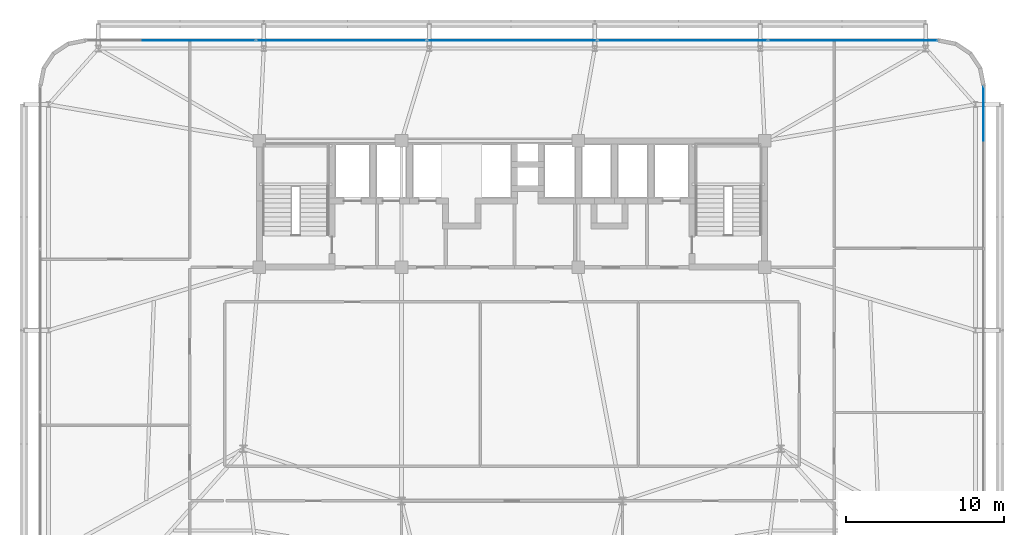
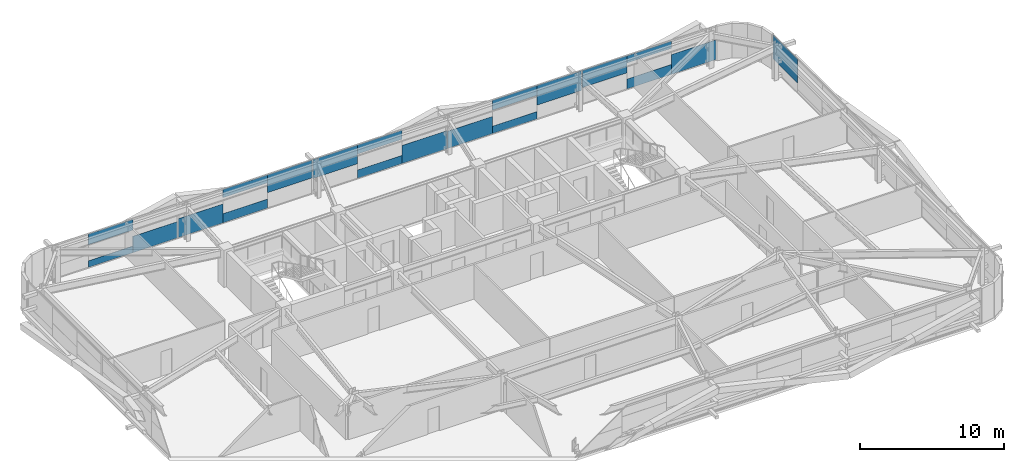
# One storey, part 30 of 44: 20 plates, 2 elements without a shape of their own.
"""IFC4 building model written with IfcOpenShell, lengths in metres."""

import ifcopenshell
import ifcopenshell.guid

model = None  # the IFC model being written
_history = None  # IfcOwnerHistory: only IFC2X3 demands one
_inside = {}  # id of a spatial element -> (the spatial element, [elements in it])
_under = {}  # id of a project, library or spatial element -> (it, [spatial elements below it])
_declared = {}  # id of a project -> (the project, [libraries it declares])
_typed = {}  # id of a type object -> (the type object, [elements of that type])
_made_of = {}  # id of a material, layer set ... -> (it, [elements and type objects made of it])


def new_model(schema):
    """Start an empty IFC model of exactly this schema.

    Asked for "IFC4X3", IfcOpenShell would pick the latest addendum, in which some entities
    have other attributes; the version numbers below select the first issue.
    IFC2X3 requires an IfcOwnerHistory on every rooted entity: one is made here for all.
    """
    global model, _history
    if schema == "IFC4X3":
        model = ifcopenshell.file(schema_version=(4, 3, 0, 0))
    else:
        model = ifcopenshell.file(schema=schema)
    _inside.clear()
    _under.clear()
    _declared.clear()
    _typed.clear()
    _made_of.clear()
    _history = None
    if model.schema == "IFC2X3":
        org = make("IfcOrganization", Name="unknown")
        user = make(
            "IfcPersonAndOrganization",
            ThePerson=make("IfcPerson", FamilyName="unknown"),
            TheOrganization=org,
        )
        app = make(
            "IfcApplication",
            ApplicationDeveloper=org,
            Version="unknown",
            ApplicationFullName="unknown",
            ApplicationIdentifier="unknown",
        )
        _history = make(
            "IfcOwnerHistory",
            OwningUser=user,
            OwningApplication=app,
            ChangeAction="ADDED",
            CreationDate=0,
        )
    return model


def make(cls, **values):
    """One entity of the class cls with the attributes given. An attribute that is None is left unset."""
    return model.create_entity(
        cls, **{name: value for name, value in values.items() if value is not None}
    )


def rooted(cls, **values):
    """An entity with a GlobalId (a new one), such as an element, a storey or a relation."""
    return make(cls, GlobalId=ifcopenshell.guid.new(), OwnerHistory=_history, **values)


def si_unit(unit_type, name, prefix=None):
    """IfcSIUnit, for example si_unit("LENGTHUNIT", "METRE", prefix="MILLI")."""
    return make("IfcSIUnit", UnitType=unit_type, Prefix=prefix, Name=name)


def assignment(units):
    """IfcUnitAssignment: the units of a project."""
    return None if units is None else make("IfcUnitAssignment", Units=units)


def point(xyz):
    """IfcCartesianPoint."""
    return None if xyz is None else make("IfcCartesianPoint", Coordinates=xyz)


def direction(xyz):
    """IfcDirection."""
    return None if xyz is None else make("IfcDirection", DirectionRatios=xyz)


def frame(location, z_axis=None, x_axis=None):
    """IfcAxis2Placement3D, a coordinate frame: its origin and axes. An axis left out is left unset."""
    return make(
        "IfcAxis2Placement3D",
        Location=point(location),
        Axis=direction(z_axis),
        RefDirection=direction(x_axis),
    )


def frame_2d(location, x_axis=None):
    """IfcAxis2Placement2D, a coordinate frame in the plane: its origin and x axis."""
    return make(
        "IfcAxis2Placement2D", Location=point(location), RefDirection=direction(x_axis)
    )


def origin():
    """The frame at (0, 0, 0) with its axes left unset."""
    return frame((0.0, 0.0, 0.0))


def origin_2d():
    """The frame at (0, 0) in the plane with its x axis left unset."""
    return frame_2d((0.0, 0.0))


def place(relative_to, where):
    """IfcLocalPlacement: puts the frame where relative to a parent placement (None: the world)."""
    return make(
        "IfcLocalPlacement", PlacementRelTo=relative_to, RelativePlacement=where
    )


def context(
    kind, dimensions, precision=None, world=None, true_north=None, identifier=None
):
    """IfcGeometricRepresentationContext, for example the 3D "Model" context."""
    return make(
        "IfcGeometricRepresentationContext",
        ContextIdentifier=identifier,
        ContextType=kind,
        CoordinateSpaceDimension=dimensions,
        Precision=precision,
        WorldCoordinateSystem=world,
        TrueNorth=true_north,
    )


def subcontext(parent, identifier, kind, view, scale=None):
    """IfcGeometricRepresentationSubContext, for example "Body" below "Model"."""
    return make(
        "IfcGeometricRepresentationSubContext",
        ContextIdentifier=identifier,
        ContextType=kind,
        ParentContext=parent,
        TargetScale=scale,
        TargetView=view,
    )


def project(units=None, contexts=None):
    """IfcProject with its units and contexts."""
    return rooted(
        "IfcProject",
        Name="project",
        RepresentationContexts=contexts,
        UnitsInContext=assignment(units),
    )


def spatial(cls, under=None, at=None, **own):
    """A site, building, storey or space (cls), placed at a placement, below another one or the project."""
    s = rooted(cls, ObjectPlacement=at, **own)
    if under is not None:
        _under.setdefault(under.id(), (under, []))[1].append(s)
    return s


def profile(cls, at=None, kind="AREA", **sizes):
    """A parametric profile (cls). Its sizes go by their IFC names, for example OverallWidth=200.0."""
    return make(cls, ProfileType=kind, Position=at, **sizes)


def rectangle(**sizes):
    """IfcRectangleProfileDef."""
    return profile("IfcRectangleProfileDef", **sizes)


def extrude(swept, where, along, depth):
    """IfcExtrudedAreaSolid: the profile swept, set in the frame where, extruded along a direction by depth."""
    return make(
        "IfcExtrudedAreaSolid",
        SweptArea=swept,
        Position=where,
        ExtrudedDirection=direction(along),
        Depth=depth,
    )


def shape(context_of_items, identifier, shape_type, items):
    """IfcShapeRepresentation: the items that make up one representation, for example the "Body"."""
    return make(
        "IfcShapeRepresentation",
        ContextOfItems=context_of_items,
        RepresentationIdentifier=identifier,
        RepresentationType=shape_type,
        Items=items,
    )


def source(mapping_origin, context_of_items, identifier, shape_type, items):
    """IfcRepresentationMap: a shape defined once, which mapped items show again and again."""
    return make(
        "IfcRepresentationMap",
        MappingOrigin=mapping_origin,
        MappedRepresentation=shape(context_of_items, identifier, shape_type, items),
    )


def transform(
    local_origin,
    x_axis=None,
    y_axis=None,
    z_axis=None,
    scale=None,
    scale2=None,
    scale3=None,
    uniform=True,
):
    """IfcCartesianTransformationOperator3D, or its non-uniform kind. x_axis, y_axis, z_axis: its Axis1, 2, 3."""
    if uniform:
        return make(
            "IfcCartesianTransformationOperator3D",
            Axis1=direction(x_axis),
            Axis2=direction(y_axis),
            LocalOrigin=point(local_origin),
            Scale=scale,
            Axis3=direction(z_axis),
        )
    return make(
        "IfcCartesianTransformationOperator3DnonUniform",
        Axis1=direction(x_axis),
        Axis2=direction(y_axis),
        LocalOrigin=point(local_origin),
        Scale=scale,
        Axis3=direction(z_axis),
        Scale2=scale2,
        Scale3=scale3,
    )


def mapped(mapping_source, mapping_target):
    """IfcMappedItem: shows the shape of a source again, moved by a transform."""
    return make(
        "IfcMappedItem", MappingSource=mapping_source, MappingTarget=mapping_target
    )


def material(Name=None, Category=None):
    """IfcMaterial."""
    return make("IfcMaterial", Name=Name, Category=Category)


def layer(
    of_material, thickness, ventilated=None, Name=None, Category=None, Priority=None
):
    """IfcMaterialLayer: one layer of a wall or slab, of a material (None: an air gap)."""
    return make(
        "IfcMaterialLayer",
        Material=of_material,
        LayerThickness=thickness,
        IsVentilated=ventilated,
        Name=Name,
        Category=Category,
        Priority=Priority,
    )


def layer_set(layers, Name=None):
    """IfcMaterialLayerSet."""
    return make("IfcMaterialLayerSet", MaterialLayers=layers, LayerSetName=Name)


def made_of(thing, what):
    """Note that an element or type object is made of a material, layer set ...; save() writes the relation."""
    if what is not None:
        _made_of.setdefault(what.id(), (what, []))[1].append(thing)
    return thing


def type_object(cls, material=None, **own):
    """A type object (cls), such as IfcWallType, which elements share."""
    return made_of(rooted(cls, **own), material)


def element(
    cls,
    number,
    at=None,
    inside=None,
    cuts=None,
    type_object=None,
    material=None,
    context=None,
    identifier="Body",
    shape_type=None,
    held_by="IfcProductDefinitionShape",
    body=None,
    shapes=None,
    **own,
):
    """One element of the class cls, such as IfcWall. Its Tag is "e" and its number.

    at: its placement. inside: the storey or other place that contains it. cuts: it is an
    opening in that element (IfcRelVoidsElement). A single representation is given by context,
    identifier, shape_type and body (its items); several are given by shapes. held_by: the class
    of the entity that holds the representations. save() writes the other relations.
    """
    e = rooted(cls, Tag="e%d" % number, ObjectPlacement=at, **own)
    if body is not None:
        shapes = [shape(context, identifier, shape_type, body)]
    if shapes is not None:
        e.Representation = make(held_by, Representations=shapes)
    if inside is not None:
        _inside.setdefault(inside.id(), (inside, []))[1].append(e)
    if cuts is not None:
        rooted(
            "IfcRelVoidsElement", RelatingBuildingElement=cuts, RelatedOpeningElement=e
        )
    if type_object is not None:
        _typed.setdefault(type_object.id(), (type_object, []))[1].append(e)
    return made_of(e, material)


def aggregate(whole, parts):
    """IfcRelAggregates: a whole, such as a stair, and the parts it consists of."""
    return rooted("IfcRelAggregates", RelatingObject=whole, RelatedObjects=parts)


def save(model, path):
    """Write the relations noted so far, then the file.

    IfcRelAggregates (storeys below a building ...), IfcRelContainedInSpatialStructure (elements
    in a storey), IfcRelDefinesByType, IfcRelAssociatesMaterial and IfcRelDeclares: one each for
    every whole, place, type object, material and project.
    """
    for whole, parts in _under.values():
        aggregate(whole, parts)
    for where, things in _inside.values():
        rooted(
            "IfcRelContainedInSpatialStructure",
            RelatedElements=things,
            RelatingStructure=where,
        )
    for kind, things in _typed.values():
        rooted("IfcRelDefinesByType", RelatedObjects=things, RelatingType=kind)
    for what, things in _made_of.values():
        rooted("IfcRelAssociatesMaterial", RelatedObjects=things, RelatingMaterial=what)
    for by, libraries in _declared.values():
        rooted("IfcRelDeclares", RelatingContext=by, RelatedDefinitions=libraries)
    model.write(path)


model = new_model("IFC4")

# Units and contexts
model_context = context("Model", 3, precision=1e-05, world=origin(), true_north=direction((0.0, 1.0)))
body_context = subcontext(model_context, "Body", "Model", "MODEL_VIEW")
ifc_project = project(units=[si_unit("LENGTHUNIT", "METRE"), si_unit("AREAUNIT", "SQUARE_METRE"), si_unit("VOLUMEUNIT", "CUBIC_METRE"), si_unit("PLANEANGLEUNIT", "RADIAN"), si_unit("MASSUNIT", "GRAM", prefix="KILO")], contexts=[model_context])

# Site, building, storey
site_placement = place(None, origin())
site = spatial("IfcSite", under=ifc_project, at=site_placement, CompositionType="ELEMENT")
building_placement = place(site_placement, origin())
building = spatial("IfcBuilding", under=site, at=building_placement, Name="Taldren Reach Tower", CompositionType="ELEMENT")
storey_placement = place(building_placement, frame((0.0, 0.0, 42.0)))
storey = spatial("IfcBuildingStorey", under=building, at=storey_placement, Name="L12", CompositionType="ELEMENT", Elevation=42.0)

# Curtain wall, plates
ifc_material_1 = material(Name="Aluminium and Low-E Glass Unitised System", Category="aluminium")
ifc_layer_1 = layer(ifc_material_1, 0.159912109375)
ifc_layer_set_1 = layer_set([ifc_layer_1], Name="Aluminium and Low-E Glass Unitised System")
curtain_wall_type = type_object("IfcCurtainWallType", Name="CW-SYS-2", PredefinedType="NOTDEFINED", material=ifc_layer_set_1)
curtain_wall_1_placement = place(storey_placement, origin())
curtain_wall_1 = element("IfcCurtainWall", 1, at=curtain_wall_1_placement, inside=storey, type_object=curtain_wall_type, Name="Unitised curtain wall CW-L12-N", PredefinedType="NOTDEFINED")
ifc_material_2 = material(Name="Solar-Control Double Glazed IGU", Category="glass")
ifc_layer_2 = layer(ifc_material_2, 0.031982421875)
ifc_layer_set_2 = layer_set([ifc_layer_2], Name="Solar-Control Double Glazed IGU")
plate_type = type_object("IfcPlateType", Name="CW-PNL-IGU32", PredefinedType="CURTAIN_PANEL", material=ifc_layer_set_2)
shared_shape_1 = source(origin(), body_context, "Body", "SweptSolid", [
    extrude(rectangle(XDim=3.5673828125, YDim=0.031982421875, at=origin_2d()), origin(), (0.0, 0.0, 1.0), 0.554931640625),
])
plate_1_placement = place(storey_placement, frame((13.416259765625, 38.360107421875, 0.05517578125), z_axis=(0.0, 0.0, 1.0), x_axis=(-1.0, 0.0, 0.0)))
plate_1 = element("IfcPlate", 2, at=plate_1_placement, type_object=plate_type, Name="CW-2 panel 5.1 part 2", PredefinedType="CURTAIN_PANEL", context=body_context, shape_type="MappedRepresentation", body=[
    mapped(shared_shape_1, transform((0.0, 0.0, 0.0), scale=1.0)),
])
shared_shape_2 = source(origin(), body_context, "Body", "SweptSolid", [
    extrude(rectangle(XDim=3.5673828125, YDim=0.031982421875, at=origin_2d()), origin(), (0.0, 0.0, 1.0), 0.904296875),
])
plate_2_placement = place(storey_placement, frame((13.416259765625, 38.360107421875, 1.970703125), z_axis=(0.0, 0.0, 1.0), x_axis=(-1.0, 0.0, 0.0)))
plate_2 = element("IfcPlate", 3, at=plate_2_placement, type_object=plate_type, Name="CW-2 panel 5.1 part 3", PredefinedType="CURTAIN_PANEL", context=body_context, shape_type="MappedRepresentation", body=[
    mapped(shared_shape_2, transform((0.0, 0.0, 0.0), scale=1.0)),
])
shared_shape_3 = source(origin(), body_context, "Body", "SweptSolid", [
    extrude(rectangle(XDim=3.5673828125, YDim=0.031982421875, at=origin_2d()), origin(), (0.0, 0.0, 1.0), 1.38232421875),
])
plate_3_placement = place(storey_placement, frame((16.983642578125, 38.360107421875, 0.054931640625), z_axis=(0.0, 0.0, 1.0), x_axis=(-1.0, 0.0, 0.0)))
plate_3 = element("IfcPlate", 4, at=plate_3_placement, type_object=plate_type, Name="CW-2 panel 5.1 part 1", PredefinedType="CURTAIN_PANEL", context=body_context, shape_type="MappedRepresentation", body=[
    mapped(shared_shape_3, transform((0.0, 0.0, 0.0), scale=1.0)),
])
shared_shape_4 = source(origin(), body_context, "Body", "SweptSolid", [
    extrude(rectangle(XDim=3.578369140625, YDim=0.031982421875, at=origin_2d()), origin(), (0.0, 0.0, 1.0), 1.602294921875),
])
plate_4_placement = place(storey_placement, frame((20.62158203125, 38.360107421875, 0.05517578125), z_axis=(0.0, 0.0, 1.0), x_axis=(-1.0, 0.0, 0.0)))
plate_4 = element("IfcPlate", 5, at=plate_4_placement, type_object=plate_type, Name="CW-2 panel 4.1 part 4", PredefinedType="CURTAIN_PANEL", context=body_context, shape_type="MappedRepresentation", body=[
    mapped(shared_shape_4, transform((0.0, 0.0, 0.0), scale=1.0)),
])
shared_shape_5 = source(origin(), body_context, "Body", "SweptSolid", [
    extrude(rectangle(XDim=3.578369140625, YDim=0.031982421875, at=origin_2d()), origin(), (0.0, 0.0, 1.0), 0.7724609375),
])
plate_5_placement = place(storey_placement, frame((24.199951171875, 38.360107421875, 0.05517578125), z_axis=(0.0, 0.0, 1.0), x_axis=(-1.0, 0.0, 0.0)))
plate_5 = element("IfcPlate", 6, at=plate_5_placement, type_object=plate_type, Name="CW-2 panel 4.1 part 2", PredefinedType="CURTAIN_PANEL", context=body_context, shape_type="MappedRepresentation", body=[
    mapped(shared_shape_5, transform((0.0, 0.0, 0.0), scale=1.0)),
])
shared_shape_6 = source(origin(), body_context, "Body", "SweptSolid", [
    extrude(rectangle(XDim=3.578369140625, YDim=0.031982421875, at=origin_2d()), origin(), (0.0, 0.0, 1.0), 0.68408203125),
])
plate_6_placement = place(storey_placement, frame((24.199951171875, 38.360107421875, 2.19091796875), z_axis=(0.0, 0.0, 1.0), x_axis=(-1.0, 0.0, 0.0)))
plate_6 = element("IfcPlate", 7, at=plate_6_placement, type_object=plate_type, Name="CW-2 panel 4.1 part 3", PredefinedType="CURTAIN_PANEL", context=body_context, shape_type="MappedRepresentation", body=[
    mapped(shared_shape_6, transform((0.0, 0.0, 0.0), scale=1.0)),
])
shared_shape_7 = source(origin(), body_context, "Body", "SweptSolid", [
    extrude(rectangle(XDim=3.578369140625, YDim=0.031982421875, at=origin_2d()), origin(), (0.0, 0.0, 1.0), 1.513916015625),
])
plate_7_placement = place(storey_placement, frame((27.7783203125, 38.360107421875, 1.361328125), z_axis=(0.0, 0.0, 1.0), x_axis=(-1.0, 0.0, 0.0)))
plate_7 = element("IfcPlate", 8, at=plate_7_placement, type_object=plate_type, Name="CW-2 panel 4.1 part 1", PredefinedType="CURTAIN_PANEL", context=body_context, shape_type="MappedRepresentation", body=[
    mapped(shared_shape_7, transform((0.0, 0.0, 0.0), scale=1.0)),
])
shared_shape_8 = source(origin(), body_context, "Body", "SweptSolid", [
    extrude(rectangle(XDim=3.578369140625, YDim=0.031982421875, at=origin_2d()), origin(), (0.0, 0.0, 1.0), 1.588134765625),
])
plate_8_placement = place(storey_placement, frame((31.421630859375, 38.360107421875, 1.287109375), z_axis=(0.0, 0.0, 1.0), x_axis=(-1.0, 0.0, 0.0)))
plate_8 = element("IfcPlate", 9, at=plate_8_placement, type_object=plate_type, Name="CW-2 panel 3.1 part 4", PredefinedType="CURTAIN_PANEL", context=body_context, shape_type="MappedRepresentation", body=[
    mapped(shared_shape_8, transform((0.0, 0.0, 0.0), scale=1.0)),
])
shared_shape_9 = source(origin(), body_context, "Body", "SweptSolid", [
    extrude(rectangle(XDim=3.578369140625, YDim=0.031982421875, at=origin_2d()), origin(), (0.0, 0.0, 1.0), 0.698486328125),
])
plate_9_placement = place(storey_placement, frame((35.0, 38.360107421875, 0.05517578125), z_axis=(0.0, 0.0, 1.0), x_axis=(-1.0, 0.0, 0.0)))
plate_9 = element("IfcPlate", 10, at=plate_9_placement, type_object=plate_type, Name="CW-2 panel 3.1 part 2", PredefinedType="CURTAIN_PANEL", context=body_context, shape_type="MappedRepresentation", body=[
    mapped(shared_shape_9, transform((0.0, 0.0, 0.0), scale=1.0)),
])
shared_shape_10 = source(origin(), body_context, "Body", "SweptSolid", [
    extrude(rectangle(XDim=3.578369140625, YDim=0.031982421875, at=origin_2d()), origin(), (0.0, 0.0, 1.0), 0.75830078125),
])
plate_10_placement = place(storey_placement, frame((35.0, 38.360107421875, 2.11669921875), z_axis=(0.0, 0.0, 1.0), x_axis=(-1.0, 0.0, 0.0)))
plate_10 = element("IfcPlate", 11, at=plate_10_placement, type_object=plate_type, Name="CW-2 panel 3.1 part 3", PredefinedType="CURTAIN_PANEL", context=body_context, shape_type="MappedRepresentation", body=[
    mapped(shared_shape_10, transform((0.0, 0.0, 0.0), scale=1.0)),
])
shared_shape_11 = source(origin(), body_context, "Body", "SweptSolid", [
    extrude(rectangle(XDim=3.578369140625, YDim=0.031982421875, at=origin_2d()), origin(), (0.0, 0.0, 1.0), 1.528076171875),
])
plate_11_placement = place(storey_placement, frame((38.578369140625, 38.360107421875, 0.05517578125), z_axis=(0.0, 0.0, 1.0), x_axis=(-1.0, 0.0, 0.0)))
plate_11 = element("IfcPlate", 12, at=plate_11_placement, type_object=plate_type, Name="CW-2 panel 3.1 part 1", PredefinedType="CURTAIN_PANEL", context=body_context, shape_type="MappedRepresentation", body=[
    mapped(shared_shape_11, transform((0.0, 0.0, 0.0), scale=1.0)),
])
shared_shape_12 = source(origin(), body_context, "Body", "SweptSolid", [
    extrude(rectangle(XDim=3.578369140625, YDim=0.031982421875, at=origin_2d()), origin(), (0.0, 0.0, 1.0), 1.453857421875),
])
plate_12_placement = place(storey_placement, frame((42.2216796875, 38.360107421875, 0.05517578125), z_axis=(0.0, 0.0, 1.0), x_axis=(-1.0, 0.0, 0.0)))
plate_12 = element("IfcPlate", 13, at=plate_12_placement, type_object=plate_type, Name="CW-2 panel 2.1 part 4", PredefinedType="CURTAIN_PANEL", context=body_context, shape_type="MappedRepresentation", body=[
    mapped(shared_shape_12, transform((0.0, 0.0, 0.0), scale=1.0)),
])
shared_shape_13 = source(origin(), body_context, "Body", "SweptSolid", [
    extrude(rectangle(XDim=3.578369140625, YDim=0.031982421875, at=origin_2d()), origin(), (0.0, 0.0, 1.0), 0.624267578125),
])
plate_13_placement = place(storey_placement, frame((45.800048828125, 38.360107421875, 0.05517578125), z_axis=(0.0, 0.0, 1.0), x_axis=(-1.0, 0.0, 0.0)))
plate_13 = element("IfcPlate", 14, at=plate_13_placement, type_object=plate_type, Name="CW-2 panel 2.1 part 2", PredefinedType="CURTAIN_PANEL", context=body_context, shape_type="MappedRepresentation", body=[
    mapped(shared_shape_13, transform((0.0, 0.0, 0.0), scale=1.0)),
])
shared_shape_14 = source(origin(), body_context, "Body", "SweptSolid", [
    extrude(rectangle(XDim=3.578369140625, YDim=0.031982421875, at=origin_2d()), origin(), (0.0, 0.0, 1.0), 0.83251953125),
])
plate_14_placement = place(storey_placement, frame((45.800048828125, 38.360107421875, 2.04248046875), z_axis=(0.0, 0.0, 1.0), x_axis=(-1.0, 0.0, 0.0)))
plate_14 = element("IfcPlate", 15, at=plate_14_placement, type_object=plate_type, Name="CW-2 panel 2.1 part 3", PredefinedType="CURTAIN_PANEL", context=body_context, shape_type="MappedRepresentation", body=[
    mapped(shared_shape_14, transform((0.0, 0.0, 0.0), scale=1.0)),
])
shared_shape_15 = source(origin(), body_context, "Body", "SweptSolid", [
    extrude(rectangle(XDim=3.578369140625, YDim=0.031982421875, at=origin_2d()), origin(), (0.0, 0.0, 1.0), 1.662353515625),
])
plate_15_placement = place(storey_placement, frame((49.37841796875, 38.360107421875, 1.212890625), z_axis=(0.0, 0.0, 1.0), x_axis=(-1.0, 0.0, 0.0)))
plate_15 = element("IfcPlate", 16, at=plate_15_placement, type_object=plate_type, Name="CW-2 panel 2.1 part 1", PredefinedType="CURTAIN_PANEL", context=body_context, shape_type="MappedRepresentation", body=[
    mapped(shared_shape_15, transform((0.0, 0.0, 0.0), scale=1.0)),
])
shared_shape_16 = source(origin(), body_context, "Body", "SweptSolid", [
    extrude(rectangle(XDim=3.5673828125, YDim=0.031982421875, at=origin_2d()), origin(), (0.0, 0.0, 1.0), 1.442138671875),
])
plate_16_placement = place(storey_placement, frame((53.016357421875, 38.360107421875, 1.4326171875), z_axis=(0.0, 0.0, 1.0), x_axis=(-1.0, 0.0, 0.0)))
plate_16 = element("IfcPlate", 17, at=plate_16_placement, type_object=plate_type, Name="CW-2 panel 1.1 part 4", PredefinedType="CURTAIN_PANEL", context=body_context, shape_type="MappedRepresentation", body=[
    mapped(shared_shape_16, transform((0.0, 0.0, 0.0), scale=1.0)),
])
shared_shape_17 = source(origin(), body_context, "Body", "SweptSolid", [
    extrude(rectangle(XDim=3.5673828125, YDim=0.031982421875, at=origin_2d()), origin(), (0.0, 0.0, 1.0), 0.84423828125),
])
plate_17_placement = place(storey_placement, frame((56.583740234375, 38.360107421875, 0.054931640625), z_axis=(0.0, 0.0, 1.0), x_axis=(-1.0, 0.0, 0.0)))
plate_17 = element("IfcPlate", 18, at=plate_17_placement, type_object=plate_type, Name="CW-2 panel 1.1 part 2", PredefinedType="CURTAIN_PANEL", context=body_context, shape_type="MappedRepresentation", body=[
    mapped(shared_shape_17, transform((0.0, 0.0, 0.0), scale=1.0)),
])
shared_shape_18 = source(origin(), body_context, "Body", "SweptSolid", [
    extrude(rectangle(XDim=3.5673828125, YDim=0.031982421875, at=origin_2d()), origin(), (0.0, 0.0, 1.0), 0.614990234375),
])
plate_18_placement = place(storey_placement, frame((56.583740234375, 38.360107421875, 2.259765625), z_axis=(0.0, 0.0, 1.0), x_axis=(-1.0, 0.0, 0.0)))
plate_18 = element("IfcPlate", 19, at=plate_18_placement, type_object=plate_type, Name="CW-2 panel 1.1 part 3", PredefinedType="CURTAIN_PANEL", context=body_context, shape_type="MappedRepresentation", body=[
    mapped(shared_shape_18, transform((0.0, 0.0, 0.0), scale=1.0)),
])
shared_shape_19 = source(origin(), body_context, "Body", "SweptSolid", [
    extrude(rectangle(XDim=3.5673828125, YDim=0.031982421875, at=origin_2d()), origin(), (0.0, 0.0, 1.0), 1.67138671875),
])
plate_19_placement = place(storey_placement, frame((60.1513671875, 38.360107421875, 0.054931640625), z_axis=(0.0, 0.0, 1.0), x_axis=(-1.0, 0.0, 0.0)))
plate_19 = element("IfcPlate", 20, at=plate_19_placement, type_object=plate_type, Name="CW-2 panel 1.1 part 1", PredefinedType="CURTAIN_PANEL", context=body_context, shape_type="MappedRepresentation", body=[
    mapped(shared_shape_19, transform((0.0, 0.0, 0.0), scale=1.0)),
])
aggregate(curtain_wall_1, [plate_19, plate_17, plate_18, plate_16, plate_15, plate_13, plate_14, plate_12, plate_11, plate_9, plate_10, plate_8, plate_7, plate_5, plate_6, plate_4, plate_3, plate_1, plate_2])

# Curtain wall, plate
curtain_wall_2_placement = place(storey_placement, origin())
curtain_wall_2 = element("IfcCurtainWall", 21, at=curtain_wall_2_placement, inside=storey, type_object=curtain_wall_type, Name="Unitised curtain wall CW-L12-E", PredefinedType="NOTDEFINED")
shared_shape_20 = source(origin(), body_context, "Body", "SweptSolid", [
    extrude(rectangle(XDim=3.411865234375, YDim=0.031982421875, at=origin_2d()), origin(), (0.0, 0.0, 1.0), 2.00439453125),
])
plate_20_placement = place(storey_placement, frame((64.860107421875, 33.72900390625, 0.87060546875), z_axis=(0.0, 0.0, 1.0), x_axis=(0.0, 1.0, 0.0)))
plate_20 = element("IfcPlate", 22, at=plate_20_placement, type_object=plate_type, Name="CW-2 panel 3.1 part 5", PredefinedType="CURTAIN_PANEL", context=body_context, shape_type="MappedRepresentation", body=[
    mapped(shared_shape_20, transform((0.0, 0.0, 0.0), scale=1.0)),
])
aggregate(curtain_wall_2, [plate_20])

save(model, "model.ifc")
